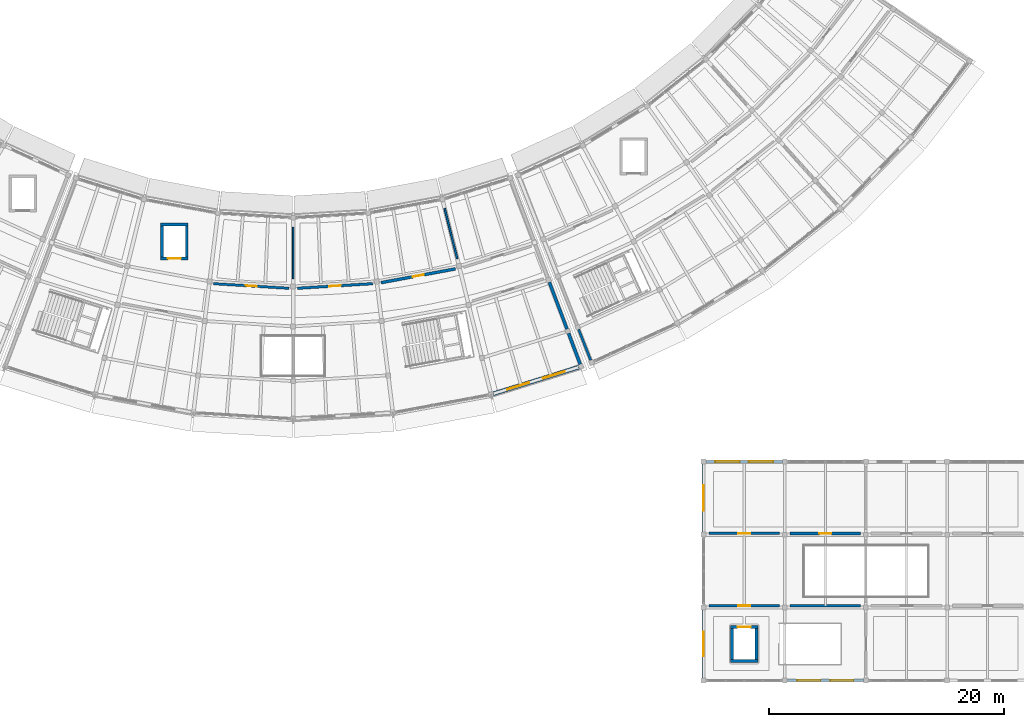
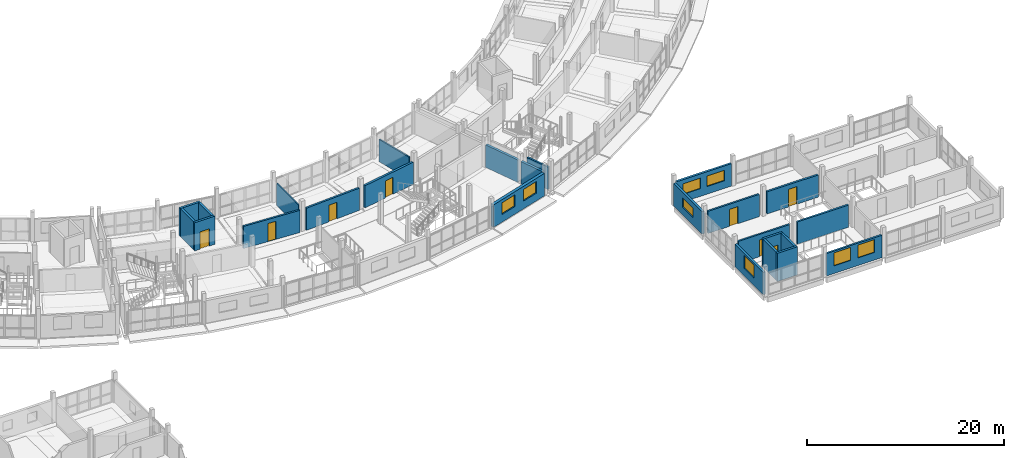
# One storey, part 58 of 77: 25 walls, 8 doors, 8 windows, 16 openings.
"""IFC4 building model written with IfcOpenShell, lengths in metres."""

from ifc_helpers import new_model, si_unit, direction, frame, frame_2d, origin, place, context, subcontext, project, spatial, rectangle, extrude, material, layer, layer_set, type_object, element, fill, save


model = new_model("IFC4")

# Units and contexts
model_context = context("Model", 3, precision=1e-05, world=origin(), true_north=direction((0.0, 1.0)))
body_context = subcontext(model_context, "Body", "Model", "MODEL_VIEW")
ifc_project = project(units=[si_unit("LENGTHUNIT", "METRE"), si_unit("AREAUNIT", "SQUARE_METRE"), si_unit("VOLUMEUNIT", "CUBIC_METRE"), si_unit("PLANEANGLEUNIT", "RADIAN"), si_unit("MASSUNIT", "GRAM", prefix="KILO")], contexts=[model_context])

# Site, building, storey
site_placement = place(None, origin())
site = spatial("IfcSite", under=ifc_project, at=site_placement, CompositionType="ELEMENT")
building_placement = place(site_placement, origin())
building = spatial("IfcBuilding", under=site, at=building_placement, Name="Caldaven Crescent School", CompositionType="ELEMENT")
storey_placement = place(building_placement, frame((0.0, 0.0, 4.419921875)))
storey = spatial("IfcBuildingStorey", under=building, at=storey_placement, Name="L01", CompositionType="ELEMENT", Elevation=4.419921875)

# Wall, opening, door
ifc_material_1 = material(Name="Concrete C35/45", Category="concrete")
ifc_layer_1 = layer(ifc_material_1, 0.300048828125)
ifc_layer_set_1 = layer_set([ifc_layer_1], Name="Concrete C35/45")
wall_type_1 = type_object("IfcWallType", Name="WAL-CW1", PredefinedType="SHEAR", material=ifc_layer_set_1)
wall_1_placement = place(storey_placement, frame((125.175048828125, 8.75, 0.0), z_axis=(0.0, 0.0, 1.0), x_axis=(1.0, 0.0, 0.0)))
wall_1 = element("IfcWall", 1, at=wall_1_placement, inside=storey, type_object=wall_type_1, Name="CW-LF3-L01-N", PredefinedType="SHEAR", context=body_context, shape_type="SweptSolid", body=[
    extrude(rectangle(XDim=2.349853515625, YDim=0.25, at=frame_2d((1.1748046875, 0.0))), origin(), (0.0, 0.0, 1.0), 3.489990234375),
])
opening_1_placement = place(wall_1_placement, frame((0.625, 0.0, 0.0)))
opening_1 = element("IfcOpeningElement", 2, at=opening_1_placement, cuts=wall_1, Name="Opening LD-LF3-L01", PredefinedType="OPENING", context=body_context, shape_type="SweptSolid", body=[
    extrude(rectangle(XDim=1.10009765625, YDim=2.14990234375, at=frame_2d((0.550048828125, 1.074951171875))), frame((0.0, 0.135009765625, 0.0), z_axis=(0.0, -1.0, 0.0), x_axis=(1.0, 0.0, 0.0)), (0.0, 0.0, 1.0), 0.27001953125),
])
ifc_material_2 = material(Name="Brushed stainless-steel automatic telescopic landing door", Category="steel")
door_type_1 = type_object("IfcDoorType", Name="DOR-LD01", OperationType="DOUBLE_DOOR_SLIDING", PredefinedType="DOOR", material=ifc_material_2)
door_1_placement = place(opening_1_placement, origin())
door_1 = element("IfcDoor", 3, at=door_1_placement, inside=storey, type_object=door_type_1, Name="DOR-LD-LF3-L01", OperationType="DOUBLE_DOOR_SLIDING", OverallHeight=2.14990234375, OverallWidth=1.10009765625, PredefinedType="DOOR", context=body_context, shape_type="SweptSolid", body=[
    extrude(rectangle(XDim=1.10009765625, YDim=2.14990234375, at=frame_2d((0.550048828125, 1.074951171875))), frame((0.0, 0.02490234375, 0.0), z_axis=(0.0, -1.0, 0.0), x_axis=(1.0, 0.0, 0.0)), (0.0, 0.0, 1.0), 0.050048828125),
])
fill(opening_1, door_1)

# Walls
for number, where, z_axis, x_axis, name in (
    (4, (125.175048828125, 5.85009765625, 0.0), (0.0, 0.0, 1.0), (1.0, 0.0, 0.0), "CW-LF3-L01-S"),
    (5, (76.729248046875, 42.977783203125, 0.0), (0.0, 0.0, 1.0), (1.0, 0.0, 0.0), "CW-LF5-L01-N"),
):
    element("IfcWall", number, at=place(storey_placement, frame(where, z_axis=z_axis, x_axis=x_axis)), inside=storey, type_object=wall_type_1, Name=name, PredefinedType="SHEAR", context=body_context, shape_type="SweptSolid", body=[
        extrude(rectangle(XDim=2.349853515625, YDim=0.25, at=frame_2d((1.1748046875, 0.0))), origin(), (0.0, 0.0, 1.0), 3.489990234375),
    ])

# Wall, opening, door
wall_2_placement = place(storey_placement, frame((76.729248046875, 40.07763671875, 0.0), z_axis=(0.0, 0.0, 1.0), x_axis=(1.0, 0.0, 0.0)))
wall_2 = element("IfcWall", 6, at=wall_2_placement, inside=storey, type_object=wall_type_1, Name="CW-LF5-L01-S", PredefinedType="SHEAR", context=body_context, shape_type="SweptSolid", body=[
    extrude(rectangle(XDim=2.349853515625, YDim=0.25, at=frame_2d((1.1748046875, 0.0))), origin(), (0.0, 0.0, 1.0), 3.489990234375),
])
opening_2_placement = place(wall_2_placement, frame((0.625, 0.0, 0.0)))
opening_2 = element("IfcOpeningElement", 7, at=opening_2_placement, cuts=wall_2, Name="Opening LD-LF5-L01", PredefinedType="OPENING", context=body_context, shape_type="SweptSolid", body=[
    extrude(rectangle(XDim=1.10009765625, YDim=2.14990234375, at=frame_2d((0.550048828125, 1.074951171875))), frame((0.0, 0.135009765625, 0.0), z_axis=(0.0, -1.0, 0.0), x_axis=(1.0, 0.0, 0.0)), (0.0, 0.0, 1.0), 0.27001953125),
])
door_2_placement = place(opening_2_placement, origin())
door_2 = element("IfcDoor", 8, at=door_2_placement, inside=storey, type_object=door_type_1, Name="DOR-LD-LF5-L01", OperationType="DOUBLE_DOOR_SLIDING", OverallHeight=2.14990234375, OverallWidth=1.10009765625, PredefinedType="DOOR", context=body_context, shape_type="SweptSolid", body=[
    extrude(rectangle(XDim=1.10009765625, YDim=2.14990234375, at=frame_2d((0.550048828125, 1.074951171875))), frame((0.0, 0.02490234375, 0.0), z_axis=(0.0, -1.0, 0.0), x_axis=(1.0, 0.0, 0.0)), (0.0, 0.0, 1.0), 0.050048828125),
])
fill(opening_2, door_2)

# Walls
ifc_layer_2 = layer(ifc_material_1, 0.25)
ifc_layer_set_2 = layer_set([ifc_layer_2], Name="Concrete C35/45")
wall_type_2 = type_object("IfcWallType", Name="WAL-CW2", PredefinedType="SHEAR", material=ifc_layer_set_2)
for number, where, z_axis, x_axis, name in (
    (9, (125.300048828125, 5.97509765625, 0.0), (0.0, 0.0, 1.0), (0.0, 1.0, 0.0), "CW-LF3-L01-W"),
    (10, (127.39990234375, 5.97509765625, 0.0), (0.0, 0.0, 1.0), (0.0, 1.0, 0.0), "CW-LF3-L01-E"),
):
    element("IfcWall", number, at=place(storey_placement, frame(where, z_axis=z_axis, x_axis=x_axis)), inside=storey, type_object=wall_type_2, Name=name, PredefinedType="SHEAR", context=body_context, shape_type="SweptSolid", body=[
        extrude(rectangle(XDim=2.64990234375, YDim=0.25, at=frame_2d((1.324951171875, 0.0))), origin(), (0.0, 0.0, 1.0), 3.489990234375),
    ])
for number, where, z_axis, x_axis, name in (
    (11, (76.854248046875, 40.20263671875, 0.0), (0.0, 0.0, 1.0), (0.0, 1.0, 0.0), "CW-LF5-L01-W"),
    (12, (78.9541015625, 40.20263671875, 0.0), (0.0, 0.0, 1.0), (0.0, 1.0, 0.0), "CW-LF5-L01-E"),
):
    element("IfcWall", number, at=place(storey_placement, frame(where, z_axis=z_axis, x_axis=x_axis)), inside=storey, type_object=wall_type_2, Name=name, PredefinedType="SHEAR", context=body_context, shape_type="SweptSolid", body=[
        extrude(rectangle(XDim=2.650146484375, YDim=0.25, at=frame_2d((1.3251953125, 0.0))), origin(), (0.0, 0.0, 1.0), 3.489990234375),
    ])
ifc_material_3 = material(Name="Precast concrete C35/45", Category="concrete")
ifc_layer_3 = layer(ifc_material_3, 0.2041015625)
ifc_layer_set_3 = layer_set([ifc_layer_3], Name="Precast concrete C35/45")
wall_type_3 = type_object("IfcWallType", Name="WAL-EW02", PredefinedType="STANDARD", material=ifc_layer_set_3)
wall_3_placement = place(storey_placement, frame((112.27587890625, 34.037841796875, 0.0), z_axis=(0.0, 0.0, 1.0), x_axis=(0.364806382824, -0.931083402844, 0.0)))
element("IfcWall", 13, at=wall_3_placement, inside=storey, type_object=wall_type_3, Name="EW-L01-155", PredefinedType="STANDARD", context=body_context, shape_type="SweptSolid", body=[
    extrude(rectangle(XDim=2.80419921875, YDim=0.2041015625, at=frame_2d((1.402099609375, 0.0))), origin(), (0.0, 0.0, 1.0), 2.780029296875),
])

# Wall, openings, windows
ifc_layer_4 = layer(ifc_material_3, 0.216064453125)
ifc_layer_set_4 = layer_set([ifc_layer_4], Name="Precast concrete C35/45")
wall_type_4 = type_object("IfcWallType", Name="WAL-EW03", PredefinedType="STANDARD", material=ifc_layer_set_4)
wall_4_placement = place(storey_placement, frame((130.012939453125, 4.199951171875, 0.0), z_axis=(0.0, 0.0, 1.0), x_axis=(1.0, 0.0, 0.0)))
wall_4 = element("IfcWall", 14, at=wall_4_placement, inside=storey, type_object=wall_type_4, Name="EW-L01-044", PredefinedType="STANDARD", context=body_context, shape_type="SweptSolid", body=[
    extrude(rectangle(XDim=6.47412109375, YDim=0.216064453125, at=frame_2d((3.237060546875, 0.0))), origin(), (0.0, 0.0, 1.0), 2.780029296875),
])
opening_3_placement = place(wall_4_placement, frame((0.86474609375, 0.0, 0.949951171875)))
opening_3 = element("IfcOpeningElement", 15, at=opening_3_placement, cuts=wall_4, Name="Opening W32", PredefinedType="OPENING", context=body_context, shape_type="SweptSolid", body=[
    extrude(rectangle(XDim=1.93994140625, YDim=1.60009765625, at=frame_2d((0.969970703125, 0.800048828125))), frame((0.0, 0.117919921875, 0.0), z_axis=(0.0, -1.0, 0.0), x_axis=(1.0, 0.0, 0.0)), (0.0, 0.0, 1.0), 0.236083984375),
])
opening_4_placement = place(wall_4_placement, frame((3.669189453125, 0.0, 0.949951171875)))
opening_4 = element("IfcOpeningElement", 16, at=opening_4_placement, cuts=wall_4, Name="Opening W32", PredefinedType="OPENING", context=body_context, shape_type="SweptSolid", body=[
    extrude(rectangle(XDim=1.93994140625, YDim=1.60009765625, at=frame_2d((0.969970703125, 0.800048828125))), frame((0.0, 0.117919921875, 0.0), z_axis=(0.0, -1.0, 0.0), x_axis=(1.0, 0.0, 0.0)), (0.0, 0.0, 1.0), 0.236083984375),
])
ifc_material_4 = material(Name="Thermally broken anodised aluminium AA 6063-T6 and low-E double glazing", Category="aluminium")
window_type_1 = type_object("IfcWindowType", Name="WIN-W32", PartitioningType="SINGLE_PANEL", PredefinedType="WINDOW", material=ifc_material_4)
window_1_placement = place(opening_3_placement, origin())
window_1 = element("IfcWindow", 17, at=window_1_placement, inside=storey, type_object=window_type_1, Name="WIN-L01-031-1", OverallHeight=1.60009765625, OverallWidth=1.93994140625, PartitioningType="SINGLE_PANEL", PredefinedType="WINDOW", context=body_context, shape_type="SweptSolid", body=[
    extrude(rectangle(XDim=1.93994140625, YDim=1.60009765625, at=frame_2d((0.969970703125, 0.800048828125))), frame((0.0, 0.030029296875, 0.0), z_axis=(0.0, -1.0, 0.0), x_axis=(1.0, 0.0, 0.0)), (0.0, 0.0, 1.0), 0.06005859375),
])
fill(opening_3, window_1)
window_2_placement = place(opening_4_placement, origin())
window_2 = element("IfcWindow", 18, at=window_2_placement, inside=storey, type_object=window_type_1, Name="WIN-L01-031-2", OverallHeight=1.60009765625, OverallWidth=1.93994140625, PartitioningType="SINGLE_PANEL", PredefinedType="WINDOW", context=body_context, shape_type="SweptSolid", body=[
    extrude(rectangle(XDim=1.93994140625, YDim=1.60009765625, at=frame_2d((0.969970703125, 0.800048828125))), frame((0.0, 0.030029296875, 0.0), z_axis=(0.0, -1.0, 0.0), x_axis=(1.0, 0.0, 0.0)), (0.0, 0.0, 1.0), 0.06005859375),
])
fill(opening_4, window_2)

ifc_layer_5 = layer(ifc_material_3, 0.239990234375)
ifc_layer_set_5 = layer_set([ifc_layer_5], Name="Precast concrete C35/45")
wall_type_5 = type_object("IfcWallType", Name="WAL-EW05", PredefinedType="STANDARD", material=ifc_layer_set_5)
wall_5_placement = place(storey_placement, frame((123.113037109375, 22.800048828125, 0.0), z_axis=(0.0, 0.0, 1.0), x_axis=(1.0, 0.0, 0.0)))
wall_5 = element("IfcWall", 19, at=wall_5_placement, inside=storey, type_object=wall_type_5, Name="EW-L01-046", PredefinedType="STANDARD", context=body_context, shape_type="SweptSolid", body=[
    extrude(rectangle(XDim=6.473876953125, YDim=0.239990234375, at=frame_2d((3.23681640625, 0.0))), origin(), (0.0, 0.0, 1.0), 2.780029296875),
])
opening_5_placement = place(wall_5_placement, frame((0.78466796875, 0.0, 0.949951171875)))
opening_5 = element("IfcOpeningElement", 20, at=opening_5_placement, cuts=wall_5, Name="Opening W34", PredefinedType="OPENING", context=body_context, shape_type="SweptSolid", body=[
    extrude(rectangle(XDim=2.06005859375, YDim=1.300048828125, at=frame_2d((1.030029296875, 0.64990234375))), frame((0.0, 0.1298828125, 0.0), z_axis=(0.0, -1.0, 0.0), x_axis=(1.0, 0.0, 0.0)), (0.0, 0.0, 1.0), 0.260009765625),
])
opening_6_placement = place(wall_5_placement, frame((3.62939453125, 0.0, 0.949951171875)))
opening_6 = element("IfcOpeningElement", 21, at=opening_6_placement, cuts=wall_5, Name="Opening W34", PredefinedType="OPENING", context=body_context, shape_type="SweptSolid", body=[
    extrude(rectangle(XDim=2.06005859375, YDim=1.300048828125, at=frame_2d((1.030029296875, 0.64990234375))), frame((0.0, 0.1298828125, 0.0), z_axis=(0.0, -1.0, 0.0), x_axis=(1.0, 0.0, 0.0)), (0.0, 0.0, 1.0), 0.260009765625),
])
window_type_2 = type_object("IfcWindowType", Name="WIN-W34", PartitioningType="SINGLE_PANEL", PredefinedType="WINDOW", material=ifc_material_4)
window_3_placement = place(opening_5_placement, origin())
window_3 = element("IfcWindow", 22, at=window_3_placement, inside=storey, type_object=window_type_2, Name="WIN-L01-033-1", OverallHeight=1.300048828125, OverallWidth=2.06005859375, PartitioningType="SINGLE_PANEL", PredefinedType="WINDOW", context=body_context, shape_type="SweptSolid", body=[
    extrude(rectangle(XDim=2.06005859375, YDim=1.300048828125, at=frame_2d((1.030029296875, 0.64990234375))), frame((0.0, 0.030029296875, 0.0), z_axis=(0.0, -1.0, 0.0), x_axis=(1.0, 0.0, 0.0)), (0.0, 0.0, 1.0), 0.06005859375),
])
fill(opening_5, window_3)
window_4_placement = place(opening_6_placement, origin())
window_4 = element("IfcWindow", 23, at=window_4_placement, inside=storey, type_object=window_type_2, Name="WIN-L01-033-2", OverallHeight=1.300048828125, OverallWidth=2.06005859375, PartitioningType="SINGLE_PANEL", PredefinedType="WINDOW", context=body_context, shape_type="SweptSolid", body=[
    extrude(rectangle(XDim=2.06005859375, YDim=1.300048828125, at=frame_2d((1.030029296875, 0.64990234375))), frame((0.0, 0.030029296875, 0.0), z_axis=(0.0, -1.0, 0.0), x_axis=(1.0, 0.0, 0.0)), (0.0, 0.0, 1.0), 0.06005859375),
])
fill(opening_6, window_4)

# Wall, opening, window
ifc_layer_6 = layer(ifc_material_3, 0.263916015625)
ifc_layer_set_6 = layer_set([ifc_layer_6], Name="Precast concrete C35/45")
wall_type_6 = type_object("IfcWallType", Name="WAL-EW07", PredefinedType="STANDARD", material=ifc_layer_set_6)
wall_6_placement = place(storey_placement, frame((122.89990234375, 4.4130859375, 0.0), z_axis=(0.0, 0.0, 1.0), x_axis=(0.0, 1.0, 0.0)))
wall_6 = element("IfcWall", 24, at=wall_6_placement, inside=storey, type_object=wall_type_6, Name="EW-L01-048", PredefinedType="STANDARD", context=body_context, shape_type="SweptSolid", body=[
    extrude(rectangle(XDim=5.77392578125, YDim=0.263916015625, at=frame_2d((2.886962890625, 0.0))), origin(), (0.0, 0.0, 1.0), 2.780029296875),
])
opening_7_placement = place(wall_6_placement, frame((1.85693359375, 0.0, 0.949951171875)))
opening_7 = element("IfcOpeningElement", 25, at=opening_7_placement, cuts=wall_6, Name="Opening W36", PredefinedType="OPENING", context=body_context, shape_type="SweptSolid", body=[
    extrude(rectangle(XDim=2.06005859375, YDim=1.60009765625, at=frame_2d((1.030029296875, 0.800048828125))), frame((0.0, 0.141845703125, 0.0), z_axis=(0.0, -1.0, 0.0), x_axis=(1.0, 0.0, 0.0)), (0.0, 0.0, 1.0), 0.283935546875),
])
window_type_3 = type_object("IfcWindowType", Name="WIN-W36", PartitioningType="SINGLE_PANEL", PredefinedType="WINDOW", material=ifc_material_4)
window_5_placement = place(opening_7_placement, origin())
window_5 = element("IfcWindow", 26, at=window_5_placement, inside=storey, type_object=window_type_3, Name="WIN-L01-035-1", OverallHeight=1.60009765625, OverallWidth=2.06005859375, PartitioningType="SINGLE_PANEL", PredefinedType="WINDOW", context=body_context, shape_type="SweptSolid", body=[
    extrude(rectangle(XDim=2.06005859375, YDim=1.60009765625, at=frame_2d((1.030029296875, 0.800048828125))), frame((0.0, 0.030029296875, 0.0), z_axis=(0.0, -1.0, 0.0), x_axis=(1.0, 0.0, 0.0)), (0.0, 0.0, 1.0), 0.06005859375),
])
fill(opening_7, window_5)

# Wall
wall_7_placement = place(storey_placement, frame((109.7890625, 38.0478515625, 0.0), z_axis=(0.0, 0.0, 1.0), x_axis=(0.351956442029, -0.936016379619, 0.0)))
element("IfcWall", 27, at=wall_7_placement, inside=storey, type_object=wall_type_6, Name="EW-L01-146", PredefinedType="STANDARD", context=body_context, shape_type="SweptSolid", body=[
    extrude(rectangle(XDim=4.239013671875, YDim=0.263916015625, at=frame_2d((2.11962890625, 0.0))), origin(), (0.0, 0.0, 1.0), 2.780029296875),
])

# Wall, opening, window
ifc_layer_7 = layer(ifc_material_3, 0.27587890625)
ifc_layer_set_7 = layer_set([ifc_layer_7], Name="Precast concrete C35/45")
wall_type_7 = type_object("IfcWallType", Name="WAL-EW08", PredefinedType="STANDARD", material=ifc_layer_set_7)
wall_8_placement = place(storey_placement, frame((122.89990234375, 16.81298828125, 0.0), z_axis=(0.0, 0.0, 1.0), x_axis=(0.0, 1.0, 0.0)))
wall_8 = element("IfcWall", 28, at=wall_8_placement, inside=storey, type_object=wall_type_7, Name="EW-L01-049", PredefinedType="STANDARD", context=body_context, shape_type="SweptSolid", body=[
    extrude(rectangle(XDim=5.77392578125, YDim=0.27587890625, at=frame_2d((2.886962890625, 0.0))), origin(), (0.0, 0.0, 1.0), 2.780029296875),
])
opening_8_placement = place(wall_8_placement, frame((1.797119140625, 0.0, 0.949951171875)))
opening_8 = element("IfcOpeningElement", 29, at=opening_8_placement, cuts=wall_8, Name="Opening W37", PredefinedType="OPENING", context=body_context, shape_type="SweptSolid", body=[
    extrude(rectangle(XDim=2.179931640625, YDim=1.14990234375, at=frame_2d((1.08984375, 0.574951171875))), frame((0.0, 0.14794921875, 0.0), z_axis=(0.0, -1.0, 0.0), x_axis=(1.0, 0.0, 0.0)), (0.0, 0.0, 1.0), 0.2958984375),
])
window_type_4 = type_object("IfcWindowType", Name="WIN-W37", PartitioningType="SINGLE_PANEL", PredefinedType="WINDOW", material=ifc_material_4)
window_6_placement = place(opening_8_placement, origin())
window_6 = element("IfcWindow", 30, at=window_6_placement, inside=storey, type_object=window_type_4, Name="WIN-L01-036-1", OverallHeight=1.14990234375, OverallWidth=2.179931640625, PartitioningType="SINGLE_PANEL", PredefinedType="WINDOW", context=body_context, shape_type="SweptSolid", body=[
    extrude(rectangle(XDim=2.179931640625, YDim=1.14990234375, at=frame_2d((1.08984375, 0.574951171875))), frame((0.0, 0.030029296875, 0.0), z_axis=(0.0, -1.0, 0.0), x_axis=(1.0, 0.0, 0.0)), (0.0, 0.0, 1.0), 0.06005859375),
])
fill(opening_8, window_6)

# Wall
wall_9_placement = place(storey_placement, frame((111.42041015625, 33.70947265625, 0.0), z_axis=(0.0, 0.0, 1.0), x_axis=(0.351915246361, -0.936031868784, 0.0)))
element("IfcWall", 31, at=wall_9_placement, inside=storey, type_object=wall_type_7, Name="EW-L01-147", PredefinedType="STANDARD", context=body_context, shape_type="SweptSolid", body=[
    extrude(rectangle(XDim=2.80419921875, YDim=0.27587890625, at=frame_2d((1.402099609375, 0.0))), origin(), (0.0, 0.0, 1.0), 2.780029296875),
])

# Wall, openings, windows
ifc_layer_8 = layer(ifc_material_3, 0.347900390625)
ifc_layer_set_8 = layer_set([ifc_layer_8], Name="Precast concrete C35/45")
wall_type_8 = type_object("IfcWallType", Name="WAL-EW14", PredefinedType="STANDARD", material=ifc_layer_set_8)
wall_10_placement = place(storey_placement, frame((105.0146484375, 28.57470703125, 0.0), z_axis=(0.0, 0.0, 1.0), x_axis=(0.954741354709, 0.297437296937, 0.0)))
wall_10 = element("IfcWall", 32, at=wall_10_placement, inside=storey, type_object=wall_type_8, Name="EW-L01-139", PredefinedType="STANDARD", context=body_context, shape_type="SweptSolid", body=[
    extrude(rectangle(XDim=7.617919921875, YDim=0.347900390625, at=frame_2d((3.80908203125, 0.0))), origin(), (0.0, 0.0, 1.0), 2.780029296875),
])
opening_9_placement = place(wall_10_placement, frame((1.245849609375, 0.0, 0.949951171875)))
opening_9 = element("IfcOpeningElement", 33, at=opening_9_placement, cuts=wall_10, Name="Opening W31", PredefinedType="OPENING", context=body_context, shape_type="SweptSolid", body=[
    extrude(rectangle(XDim=1.93994140625, YDim=1.449951171875, at=frame_2d((0.969970703125, 0.72509765625))), frame((0.0, 0.183837890625, 0.0), z_axis=(0.0, -1.0, 0.0), x_axis=(1.0, 0.0, 0.0)), (0.0, 0.0, 1.0), 0.367919921875),
])
opening_10_placement = place(wall_10_placement, frame((4.431884765625, 0.0, 0.949951171875)))
opening_10 = element("IfcOpeningElement", 34, at=opening_10_placement, cuts=wall_10, Name="Opening W31", PredefinedType="OPENING", context=body_context, shape_type="SweptSolid", body=[
    extrude(rectangle(XDim=1.93994140625, YDim=1.449951171875, at=frame_2d((0.969970703125, 0.72509765625))), frame((0.0, 0.183837890625, 0.0), z_axis=(0.0, -1.0, 0.0), x_axis=(1.0, 0.0, 0.0)), (0.0, 0.0, 1.0), 0.367919921875),
])
window_type_5 = type_object("IfcWindowType", Name="WIN-W31", PartitioningType="SINGLE_PANEL", PredefinedType="WINDOW", material=ifc_material_4)
window_7_placement = place(opening_9_placement, origin())
window_7 = element("IfcWindow", 35, at=window_7_placement, inside=storey, type_object=window_type_5, Name="WIN-L01-078-1", OverallHeight=1.449951171875, OverallWidth=1.93994140625, PartitioningType="SINGLE_PANEL", PredefinedType="WINDOW", context=body_context, shape_type="SweptSolid", body=[
    extrude(rectangle(XDim=1.93994140625, YDim=1.449951171875, at=frame_2d((0.969970703125, 0.72509765625))), frame((0.0, 0.030029296875, 0.0), z_axis=(0.0, -1.0, 0.0), x_axis=(1.0, 0.0, 0.0)), (0.0, 0.0, 1.0), 0.06005859375),
])
fill(opening_9, window_7)
window_8_placement = place(opening_10_placement, origin())
window_8 = element("IfcWindow", 36, at=window_8_placement, inside=storey, type_object=window_type_5, Name="WIN-L01-078-2", OverallHeight=1.449951171875, OverallWidth=1.93994140625, PartitioningType="SINGLE_PANEL", PredefinedType="WINDOW", context=body_context, shape_type="SweptSolid", body=[
    extrude(rectangle(XDim=1.93994140625, YDim=1.449951171875, at=frame_2d((0.969970703125, 0.72509765625))), frame((0.0, 0.030029296875, 0.0), z_axis=(0.0, -1.0, 0.0), x_axis=(1.0, 0.0, 0.0)), (0.0, 0.0, 1.0), 0.06005859375),
])
fill(opening_10, window_8)

# Wall, opening, door
ifc_material_5 = material(Name="Acoustic timber-stud and fire-rated gypsum board assembly", Category="wood")
ifc_layer_9 = layer(ifc_material_5, 0.199951171875)
ifc_layer_set_9 = layer_set([ifc_layer_9], Name="Acoustic timber-stud and fire-rated gypsum board assembly")
wall_type_9 = type_object("IfcWallType", Name="WAL-IW05", PredefinedType="STANDARD", material=ifc_layer_set_9)
wall_11_placement = place(storey_placement, frame((123.35009765625, 10.550048828125, 0.0), z_axis=(0.0, 0.0, 1.0), x_axis=(1.0, 0.0, 0.0)))
wall_11 = element("IfcWall", 37, at=wall_11_placement, inside=storey, type_object=wall_type_9, Name="IW-L01-0084", PredefinedType="STANDARD", context=body_context, shape_type="SweptSolid", body=[
    extrude(rectangle(XDim=6.0, YDim=0.199951171875, at=frame_2d((3.0, 0.0))), origin(), (0.0, 0.0, 1.0), 2.75),
])
opening_11_placement = place(wall_11_placement, frame((2.489990234375, 0.0, 0.0)))
opening_11 = element("IfcOpeningElement", 38, at=opening_11_placement, cuts=wall_11, Name="Opening D-L01-I056", PredefinedType="OPENING", context=body_context, shape_type="SweptSolid", body=[
    extrude(rectangle(XDim=1.02001953125, YDim=2.06005859375, at=frame_2d((0.510009765625, 1.030029296875))), frame((0.0, 0.10986328125, 0.0), z_axis=(0.0, -1.0, 0.0), x_axis=(1.0, 0.0, 0.0)), (0.0, 0.0, 1.0), 0.219970703125),
])
ifc_material_6 = material(Name="Solid-core Pino Radiata acoustic timber leaf in steel frame", Category="steel")
door_type_2 = type_object("IfcDoorType", Name="DOR-ID17", OperationType="NOTDEFINED", PredefinedType="DOOR", material=ifc_material_6)
door_3_placement = place(opening_11_placement, origin())
door_3 = element("IfcDoor", 39, at=door_3_placement, inside=storey, type_object=door_type_2, Name="DOR-INT-L01-0056", OperationType="SINGLE_SWING_LEFT", OverallHeight=2.06005859375, OverallWidth=1.02001953125, PredefinedType="DOOR", context=body_context, shape_type="SweptSolid", body=[
    extrude(rectangle(XDim=1.02001953125, YDim=2.06005859375, at=frame_2d((0.510009765625, 1.030029296875))), frame((0.0, 0.02490234375, 0.0), z_axis=(0.0, -1.0, 0.0), x_axis=(1.0, 0.0, 0.0)), (0.0, 0.0, 1.0), 0.050048828125),
])
fill(opening_11, door_3)

ifc_layer_10 = layer(ifc_material_5, 0.2099609375)
ifc_layer_set_10 = layer_set([ifc_layer_10], Name="Acoustic timber-stud and fire-rated gypsum board assembly")
wall_type_10 = type_object("IfcWallType", Name="WAL-IW06", PredefinedType="STANDARD", material=ifc_layer_set_10)
wall_12_placement = place(storey_placement, frame((123.35009765625, 16.699951171875, 0.0), z_axis=(0.0, 0.0, 1.0), x_axis=(1.0, 0.0, 0.0)))
wall_12 = element("IfcWall", 40, at=wall_12_placement, inside=storey, type_object=wall_type_10, Name="IW-L01-0085", PredefinedType="STANDARD", context=body_context, shape_type="SweptSolid", body=[
    extrude(rectangle(XDim=6.0, YDim=0.2099609375, at=frame_2d((3.0, 0.0))), origin(), (0.0, 0.0, 1.0), 2.75),
])
opening_12_placement = place(wall_12_placement, frame((2.489990234375, 0.0, 0.0)))
opening_12 = element("IfcOpeningElement", 41, at=opening_12_placement, cuts=wall_12, Name="Opening D-L01-I057", PredefinedType="OPENING", context=body_context, shape_type="SweptSolid", body=[
    extrude(rectangle(XDim=1.02001953125, YDim=2.1201171875, at=frame_2d((0.510009765625, 1.06005859375))), frame((0.0, 0.114990234375, 0.0), z_axis=(0.0, -1.0, 0.0), x_axis=(1.0, 0.0, 0.0)), (0.0, 0.0, 1.0), 0.22998046875),
])
door_type_3 = type_object("IfcDoorType", Name="DOR-ID18", OperationType="NOTDEFINED", PredefinedType="DOOR", material=ifc_material_6)
door_4_placement = place(opening_12_placement, frame((1.02001953125, 0.0, 0.0), z_axis=(0.0, 0.0, 1.0), x_axis=(-1.0, 0.0, 0.0)))
door_4 = element("IfcDoor", 42, at=door_4_placement, inside=storey, type_object=door_type_3, Name="DOR-INT-L01-0057", OperationType="SINGLE_SWING_RIGHT", OverallHeight=2.1201171875, OverallWidth=1.02001953125, PredefinedType="DOOR", context=body_context, shape_type="SweptSolid", body=[
    extrude(rectangle(XDim=1.02001953125, YDim=2.1201171875, at=frame_2d((0.510009765625, 1.06005859375))), frame((0.0, 0.02490234375, 0.0), z_axis=(0.0, -1.0, 0.0), x_axis=(1.0, 0.0, 0.0)), (0.0, 0.0, 1.0), 0.050048828125),
])
fill(opening_12, door_4)

wall_13_placement = place(storey_placement, frame((81.232421875, 37.933837890625, 0.0), z_axis=(0.0, 0.0, 1.0), x_axis=(0.998135716959, -0.061033519724, 0.0)))
wall_13 = element("IfcWall", 43, at=wall_13_placement, inside=storey, type_object=wall_type_10, Name="IW-L01-0213", PredefinedType="STANDARD", context=body_context, shape_type="SweptSolid", body=[
    extrude(rectangle(XDim=6.420166015625, YDim=0.2099609375, at=frame_2d((3.2099609375, 0.0))), origin(), (0.0, 0.0, 1.0), 2.75),
])
opening_13_placement = place(wall_13_placement, frame((2.739990234375, 0.0, 0.0)))
opening_13 = element("IfcOpeningElement", 44, at=opening_13_placement, cuts=wall_13, Name="Opening D-L01-I151", PredefinedType="OPENING", context=body_context, shape_type="SweptSolid", body=[
    extrude(rectangle(XDim=0.93994140625, YDim=2.239990234375, at=frame_2d((0.469970703125, 1.1201171875))), frame((0.0, 0.114990234375, 0.0), z_axis=(0.0, -1.0, 0.0), x_axis=(1.0, 0.0, 0.0)), (0.0, 0.0, 1.0), 0.22998046875),
])
door_type_4 = type_object("IfcDoorType", Name="DOR-ID12", OperationType="NOTDEFINED", PredefinedType="DOOR", material=ifc_material_6)
door_5_placement = place(opening_13_placement, frame((0.93994140625, 0.0, 0.0), z_axis=(0.0, 0.0, 1.0), x_axis=(-1.0, 0.0, 0.0)))
door_5 = element("IfcDoor", 45, at=door_5_placement, inside=storey, type_object=door_type_4, Name="DOR-INT-L01-0151", OperationType="SINGLE_SWING_RIGHT", OverallHeight=2.239990234375, OverallWidth=0.93994140625, PredefinedType="DOOR", context=body_context, shape_type="SweptSolid", body=[
    extrude(rectangle(XDim=0.93994140625, YDim=2.239990234375, at=frame_2d((0.469970703125, 1.1201171875))), frame((0.0, 0.02490234375, 0.0), z_axis=(0.0, -1.0, 0.0), x_axis=(1.0, 0.0, 0.0)), (0.0, 0.0, 1.0), 0.050048828125),
])
fill(opening_13, door_5)

# Wall
ifc_layer_11 = layer(ifc_material_5, 0.219970703125)
ifc_layer_set_11 = layer_set([ifc_layer_11], Name="Acoustic timber-stud and fire-rated gypsum board assembly")
wall_type_11 = type_object("IfcWallType", Name="WAL-IW07", PredefinedType="STANDARD", material=ifc_layer_set_11)
wall_14_placement = place(storey_placement, frame((130.25, 10.550048828125, 0.0), z_axis=(0.0, 0.0, 1.0), x_axis=(1.0, 0.0, 0.0)))
element("IfcWall", 46, at=wall_14_placement, inside=storey, type_object=wall_type_11, Name="IW-L01-0086", PredefinedType="STANDARD", context=body_context, shape_type="SweptSolid", body=[
    extrude(rectangle(XDim=6.0, YDim=0.219970703125, at=frame_2d((3.0, 0.0))), origin(), (0.0, 0.0, 1.0), 2.75),
])

# Wall, opening, door
wall_15_placement = place(storey_placement, frame((88.359375, 37.5419921875, 0.0), z_axis=(0.0, 0.0, 1.0), x_axis=(0.998135716959, 0.061033519724, 0.0)))
wall_15 = element("IfcWall", 47, at=wall_15_placement, inside=storey, type_object=wall_type_11, Name="IW-L01-0214", PredefinedType="STANDARD", context=body_context, shape_type="SweptSolid", body=[
    extrude(rectangle(XDim=6.420166015625, YDim=0.219970703125, at=frame_2d((3.2099609375, 0.0))), origin(), (0.0, 0.0, 1.0), 2.75),
])
opening_14_placement = place(wall_15_placement, frame((2.72021484375, 0.0, 0.0)))
opening_14 = element("IfcOpeningElement", 48, at=opening_14_placement, cuts=wall_15, Name="Opening D-L01-I152", PredefinedType="OPENING", context=body_context, shape_type="SweptSolid", body=[
    extrude(rectangle(XDim=0.97998046875, YDim=2.06005859375, at=frame_2d((0.489990234375, 1.030029296875))), frame((0.0, 0.119873046875, 0.0), z_axis=(0.0, -1.0, 0.0), x_axis=(1.0, 0.0, 0.0)), (0.0, 0.0, 1.0), 0.239990234375),
])
door_type_5 = type_object("IfcDoorType", Name="DOR-ID13", OperationType="NOTDEFINED", PredefinedType="DOOR", material=ifc_material_6)
door_6_placement = place(opening_14_placement, frame((0.97998046875, 0.0, 0.0), z_axis=(0.0, 0.0, 1.0), x_axis=(-1.0, 0.0, 0.0)))
door_6 = element("IfcDoor", 49, at=door_6_placement, inside=storey, type_object=door_type_5, Name="DOR-INT-L01-0152", OperationType="SINGLE_SWING_LEFT", OverallHeight=2.06005859375, OverallWidth=0.97998046875, PredefinedType="DOOR", context=body_context, shape_type="SweptSolid", body=[
    extrude(rectangle(XDim=0.97998046875, YDim=2.06005859375, at=frame_2d((0.489990234375, 1.030029296875))), frame((0.0, 0.02490234375, 0.0), z_axis=(0.0, -1.0, 0.0), x_axis=(1.0, 0.0, 0.0)), (0.0, 0.0, 1.0), 0.050048828125),
])
fill(opening_14, door_6)

ifc_layer_12 = layer(ifc_material_5, 0.22998046875)
ifc_layer_set_12 = layer_set([ifc_layer_12], Name="Acoustic timber-stud and fire-rated gypsum board assembly")
wall_type_12 = type_object("IfcWallType", Name="WAL-IW08", PredefinedType="STANDARD", material=ifc_layer_set_12)
wall_16_placement = place(storey_placement, frame((130.25, 16.699951171875, 0.0), z_axis=(0.0, 0.0, 1.0), x_axis=(1.0, 0.0, 0.0)))
wall_16 = element("IfcWall", 50, at=wall_16_placement, inside=storey, type_object=wall_type_12, Name="IW-L01-0087", PredefinedType="STANDARD", context=body_context, shape_type="SweptSolid", body=[
    extrude(rectangle(XDim=6.0, YDim=0.22998046875, at=frame_2d((3.0, 0.0))), origin(), (0.0, 0.0, 1.0), 2.75),
])
opening_15_placement = place(wall_16_placement, frame((2.489990234375, 0.0, 0.0)))
opening_15 = element("IfcOpeningElement", 51, at=opening_15_placement, cuts=wall_16, Name="Opening D-L01-I058", PredefinedType="OPENING", context=body_context, shape_type="SweptSolid", body=[
    extrude(rectangle(XDim=1.02001953125, YDim=2.179931640625, at=frame_2d((0.510009765625, 1.08984375))), frame((0.0, 0.125, 0.0), z_axis=(0.0, -1.0, 0.0), x_axis=(1.0, 0.0, 0.0)), (0.0, 0.0, 1.0), 0.25),
])
door_type_6 = type_object("IfcDoorType", Name="DOR-ID19", OperationType="NOTDEFINED", PredefinedType="DOOR", material=ifc_material_6)
door_7_placement = place(opening_15_placement, frame((1.02001953125, 0.0, 0.0), z_axis=(0.0, 0.0, 1.0), x_axis=(-1.0, 0.0, 0.0)))
door_7 = element("IfcDoor", 52, at=door_7_placement, inside=storey, type_object=door_type_6, Name="DOR-INT-L01-0058", OperationType="SINGLE_SWING_LEFT", OverallHeight=2.179931640625, OverallWidth=1.02001953125, PredefinedType="DOOR", context=body_context, shape_type="SweptSolid", body=[
    extrude(rectangle(XDim=1.02001953125, YDim=2.179931640625, at=frame_2d((0.510009765625, 1.08984375))), frame((0.0, 0.02490234375, 0.0), z_axis=(0.0, -1.0, 0.0), x_axis=(1.0, 0.0, 0.0)), (0.0, 0.0, 1.0), 0.050048828125),
])
fill(opening_15, door_7)

ifc_layer_13 = layer(ifc_material_5, 0.25)
ifc_layer_set_13 = layer_set([ifc_layer_13], Name="Acoustic timber-stud and fire-rated gypsum board assembly")
wall_type_13 = type_object("IfcWallType", Name="WAL-IW10", PredefinedType="STANDARD", material=ifc_layer_set_13)
wall_17_placement = place(storey_placement, frame((95.48095703125, 38.021484375, 0.0), z_axis=(0.0, 0.0, 1.0), x_axis=(0.983257031249, 0.182224066742, 0.0)))
wall_17 = element("IfcWall", 53, at=wall_17_placement, inside=storey, type_object=wall_type_13, Name="IW-L01-0217", PredefinedType="STANDARD", context=body_context, shape_type="SweptSolid", body=[
    extrude(rectangle(XDim=6.420166015625, YDim=0.25, at=frame_2d((3.2099609375, 0.0))), origin(), (0.0, 0.0, 1.0), 2.75),
])
opening_16_placement = place(wall_17_placement, frame((2.72021484375, 0.0, 0.0)))
opening_16 = element("IfcOpeningElement", 54, at=opening_16_placement, cuts=wall_17, Name="Opening D-L01-I153", PredefinedType="OPENING", context=body_context, shape_type="SweptSolid", body=[
    extrude(rectangle(XDim=0.97998046875, YDim=2.1201171875, at=frame_2d((0.489990234375, 1.06005859375))), frame((0.0, 0.135009765625, 0.0), z_axis=(0.0, -1.0, 0.0), x_axis=(1.0, 0.0, 0.0)), (0.0, 0.0, 1.0), 0.27001953125),
])
door_type_7 = type_object("IfcDoorType", Name="DOR-ID14", OperationType="NOTDEFINED", PredefinedType="DOOR", material=ifc_material_6)
door_8_placement = place(opening_16_placement, frame((0.97998046875, 0.0, 0.0), z_axis=(0.0, 0.0, 1.0), x_axis=(-1.0, 0.0, 0.0)))
door_8 = element("IfcDoor", 55, at=door_8_placement, inside=storey, type_object=door_type_7, Name="DOR-INT-L01-0153", OperationType="SINGLE_SWING_RIGHT", OverallHeight=2.1201171875, OverallWidth=0.97998046875, PredefinedType="DOOR", context=body_context, shape_type="SweptSolid", body=[
    extrude(rectangle(XDim=0.97998046875, YDim=2.1201171875, at=frame_2d((0.489990234375, 1.06005859375))), frame((0.0, 0.02490234375, 0.0), z_axis=(0.0, -1.0, 0.0), x_axis=(1.0, 0.0, 0.0)), (0.0, 0.0, 1.0), 0.050048828125),
])
fill(opening_16, door_8)

# Walls
ifc_material_7 = material(Name="Acoustic double-layer gypsum partition on galvanised steel studs", Category="steel")
ifc_layer_14 = layer(ifc_material_7, 0.1279296875)
ifc_layer_set_14 = layer_set([ifc_layer_14], Name="Acoustic double-layer gypsum partition on galvanised steel studs")
wall_type_14 = type_object("IfcWallType", Name="WAL-PT08", PredefinedType="PARTITIONING", material=ifc_layer_set_14)
wall_18_placement = place(storey_placement, frame((88.0, 42.75, 0.0), z_axis=(0.0, 0.0, 1.0), x_axis=(0.0, -1.0, 0.0)))
element("IfcWall", 56, at=wall_18_placement, inside=storey, type_object=wall_type_14, Name="IW-L01-0215", PredefinedType="PARTITIONING", context=body_context, shape_type="SweptSolid", body=[
    extrude(rectangle(XDim=4.39990234375, YDim=0.1279296875, at=frame_2d((2.199951171875, 0.0))), origin(), (0.0, 0.0, 1.0), 2.75),
])
ifc_layer_15 = layer(ifc_material_7, 0.157958984375)
ifc_layer_set_15 = layer_set([ifc_layer_15], Name="Acoustic double-layer gypsum partition on galvanised steel studs")
wall_type_15 = type_object("IfcWallType", Name="WAL-PT13", PredefinedType="PARTITIONING", material=ifc_layer_set_15)
wall_19_placement = place(storey_placement, frame((100.88232421875, 44.331787109375, 0.0), z_axis=(0.0, 0.0, 1.0), x_axis=(0.241921959033, -0.97029571046, 0.0)))
element("IfcWall", 57, at=wall_19_placement, inside=storey, type_object=wall_type_15, Name="IW-L01-0220", PredefinedType="PARTITIONING", context=body_context, shape_type="SweptSolid", body=[
    extrude(rectangle(XDim=4.39990234375, YDim=0.157958984375, at=frame_2d((2.199951171875, 0.0))), origin(), (0.0, 0.0, 1.0), 2.75),
])

save(model, "model.ifc")
